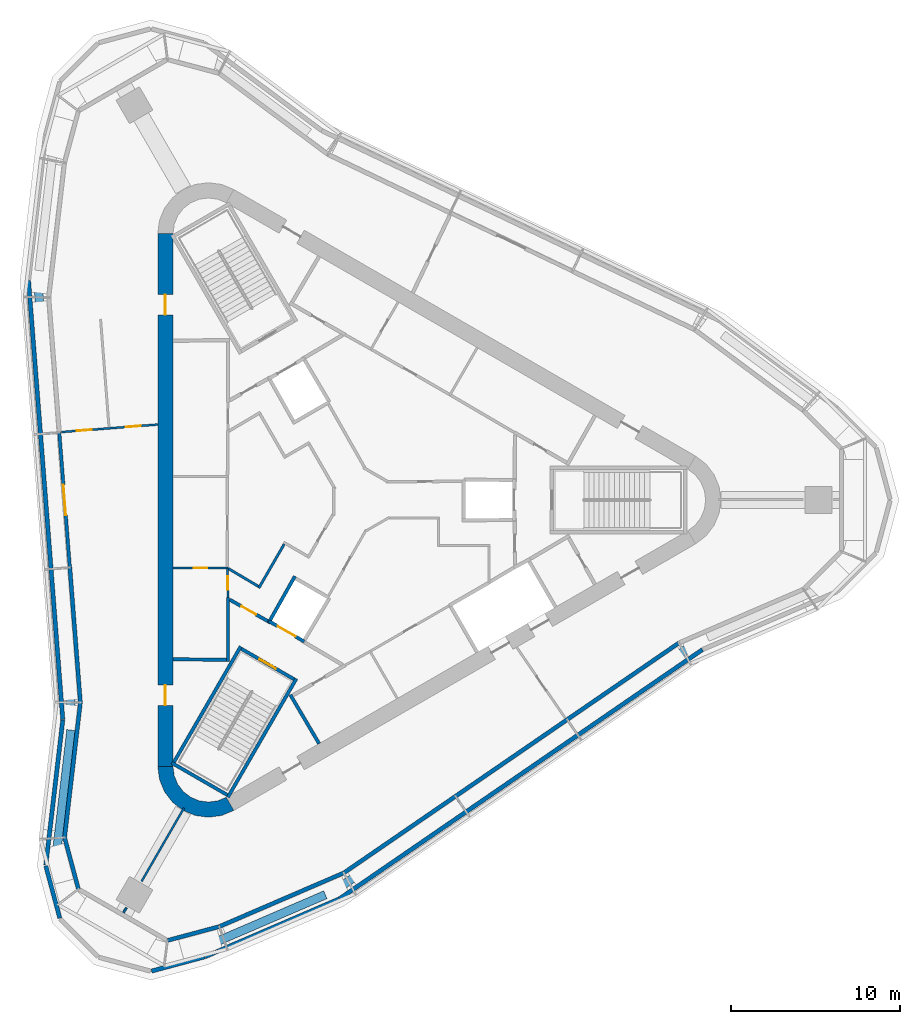
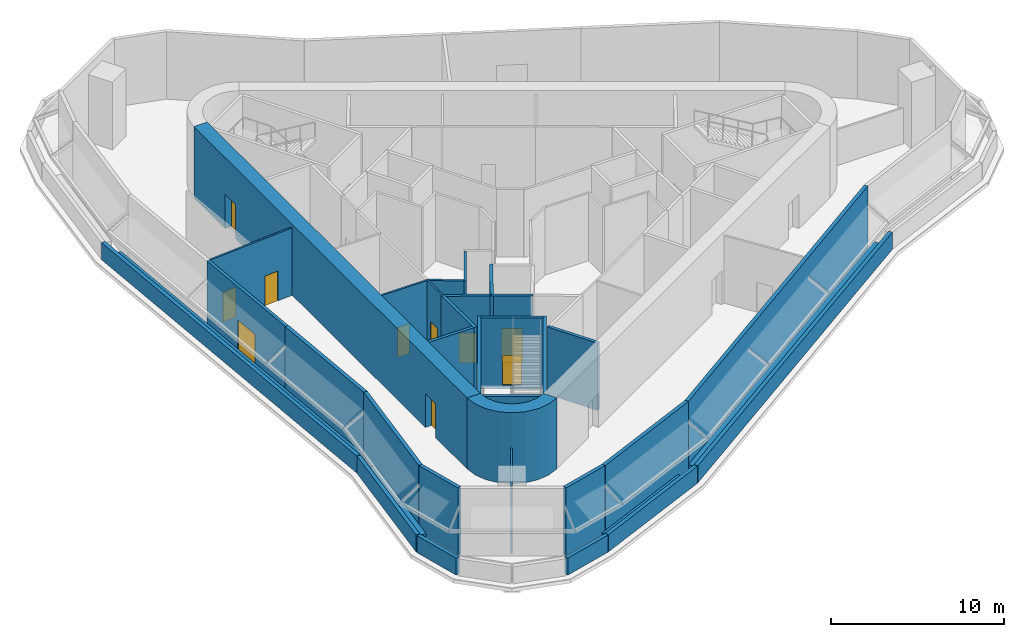
# One storey, part 4 of 8: 36 walls, 10 doors, 10 openings.
"""IFC4 building model written with IfcOpenShell, lengths in metres."""

from ifc_helpers import new_model, si_unit, direction, frame, frame_2d, origin, place, context, subcontext, project, spatial, polyline, rectangle, outline, extrude, material, layer, layer_set, type_object, element, fill, save


model = new_model("IFC4")

# Units and contexts
model_context = context("Model", 3, precision=1e-05, world=origin(), true_north=direction((0.0, 1.0)))
body_context = subcontext(model_context, "Body", "Model", "MODEL_VIEW")
ifc_project = project(units=[si_unit("LENGTHUNIT", "METRE"), si_unit("AREAUNIT", "SQUARE_METRE"), si_unit("VOLUMEUNIT", "CUBIC_METRE"), si_unit("PLANEANGLEUNIT", "RADIAN"), si_unit("MASSUNIT", "GRAM", prefix="KILO")], contexts=[model_context])

# Site, building, storey
site_placement = place(None, origin())
site = spatial("IfcSite", under=ifc_project, at=site_placement, CompositionType="ELEMENT")
building_placement = place(site_placement, origin())
building = spatial("IfcBuilding", under=site, at=building_placement, Name="Tanit Gate Tower", CompositionType="ELEMENT")
storey_placement = place(building_placement, frame((0.0, 0.0, 415.300048828125)))
storey = spatial("IfcBuildingStorey", under=building, at=storey_placement, Name="L94", CompositionType="ELEMENT", Elevation=415.300048828125)

# Wall, openings, doors
ifc_material_1 = material(Name="Concrete C40/50", Category="concrete")
ifc_layer_1 = layer(ifc_material_1, 0.89990234375)
ifc_layer_set_1 = layer_set([ifc_layer_1], Name="CORE WALL 900 C40/50")
wall_type_1 = type_object("IfcWallType", Name="CORE WALL 900 C40/50", PredefinedType="SHEAR", material=ifc_layer_set_1)
wall_1_placement = place(storey_placement, frame((-11.64990234375, 15.76171875, 0.0), z_axis=(0.0, 0.0, 1.0), x_axis=(0.0, -1.0, 0.0)))
wall_1 = element("IfcWall", 1, at=wall_1_placement, inside=storey, type_object=wall_type_1, Name="CORE WALL", PredefinedType="SHEAR", context=body_context, shape_type="SweptSolid", body=[
    extrude(rectangle(XDim=31.5234375, YDim=0.89990234375, at=frame_2d((15.76171875, 0.0))), origin(), (0.0, 0.0, 1.0), 5.0),
])
opening_1_placement = place(wall_1_placement, frame((3.61181640625, 0.0, 0.0)))
opening_1 = element("IfcOpeningElement", 2, at=opening_1_placement, cuts=wall_1, Name="Opening F12-94-FL2", PredefinedType="OPENING", context=body_context, shape_type="SweptSolid", body=[
    extrude(rectangle(XDim=1.199951171875, YDim=2.39990234375, at=frame_2d((0.60009765625, 1.199951171875))), frame((0.0, 0.4599609375, 0.0), z_axis=(0.0, -1.0, 0.0), x_axis=(1.0, 0.0, 0.0)), (0.0, 0.0, 1.0), 0.919921875),
])
opening_2_placement = place(wall_1_placement, frame((26.711669921875, 0.0, 0.0)))
opening_2 = element("IfcOpeningElement", 3, at=opening_2_placement, cuts=wall_1, Name="Opening F12-94-S3", PredefinedType="OPENING", context=body_context, shape_type="SweptSolid", body=[
    extrude(rectangle(XDim=1.199951171875, YDim=2.39990234375, at=frame_2d((0.60009765625, 1.199951171875))), frame((0.0, 0.4599609375, 0.0), z_axis=(0.0, -1.0, 0.0), x_axis=(1.0, 0.0, 0.0)), (0.0, 0.0, 1.0), 0.919921875),
])
ifc_material_2 = material(Name="Fire-rated steel door leaf", Category="steel")
door_type_1 = type_object("IfcDoorType", Name="INT-DOOR-FIRE-LOBBY-1200", OperationType="NOTDEFINED", PredefinedType="USERDEFINED", material=ifc_material_2)
door_1_placement = place(opening_1_placement, origin())
door_1 = element("IfcDoor", 4, at=door_1_placement, inside=storey, type_object=door_type_1, Name="Door F12-94-FL2", ObjectType="FIRE DOOR", OperationType="SINGLE_SWING_RIGHT", OverallHeight=2.39990234375, OverallWidth=1.199951171875, PredefinedType="USERDEFINED", context=body_context, shape_type="SweptSolid", body=[
    extrude(rectangle(XDim=1.199951171875, YDim=2.39990234375, at=frame_2d((0.60009765625, 1.199951171875))), frame((0.0, 0.02490234375, 0.0), z_axis=(0.0, -1.0, 0.0), x_axis=(1.0, 0.0, 0.0)), (0.0, 0.0, 1.0), 0.050048828125),
])
fill(opening_1, door_1)
door_2_placement = place(opening_2_placement, origin())
door_2 = element("IfcDoor", 5, at=door_2_placement, inside=storey, type_object=door_type_1, Name="Door F12-94-S3", ObjectType="FIRE DOOR", OperationType="SINGLE_SWING_LEFT", OverallHeight=2.39990234375, OverallWidth=1.199951171875, PredefinedType="USERDEFINED", context=body_context, shape_type="SweptSolid", body=[
    extrude(rectangle(XDim=1.199951171875, YDim=2.39990234375, at=frame_2d((0.60009765625, 1.199951171875))), frame((0.0, 0.02490234375, 0.0), z_axis=(0.0, -1.0, 0.0), x_axis=(1.0, 0.0, 0.0)), (0.0, 0.0, 1.0), 0.050048828125),
])
fill(opening_2, door_2)

# Wall
wall_2_placement = place(storey_placement, origin())
element("IfcWall", 6, at=wall_2_placement, inside=storey, type_object=wall_type_1, Name="CORE WALL CORNER", PredefinedType="SHEAR", context=body_context, shape_type="SweptSolid", body=[
    extrude(outline(polyline([(-12.10009765625, -15.76171875), (-11.997802734375, -16.5380859375), (-11.697998046875, -17.26171875), (-11.22119140625, -17.883056640625), (-10.60009765625, -18.359619140625), (-9.87646484375, -18.659423828125), (-9.10009765625, -18.76171875), (-8.323486328125, -18.659423828125), (-7.60009765625, -18.359619140625), (-8.050048828125, -17.580322265625), (-8.556396484375, -17.7900390625), (-9.10009765625, -17.86181640625), (-9.6435546875, -17.7900390625), (-10.14990234375, -17.580322265625), (-10.5849609375, -17.24658203125), (-10.918701171875, -16.811767578125), (-11.12841796875, -16.30517578125), (-11.199951171875, -15.76171875), (-12.10009765625, -15.76171875)])), origin(), (0.0, 0.0, 1.0), 5.0),
])

# Wall, opening, door
ifc_material_3 = material(Name="Concrete C30/37 rendered", Category="concrete")
ifc_layer_2 = layer(ifc_material_3, 0.199951171875)
ifc_layer_set_2 = layer_set([ifc_layer_2], Name="Facade wall 200 rendered")
wall_type_2 = type_object("IfcWallType", Name="Facade wall 200 rendered", PredefinedType="SOLIDWALL", material=ifc_layer_set_2)
wall_3_placement = place(storey_placement, frame((-17.924072265625, 3.9775390625, 0.0), z_axis=(0.0, 0.0, 1.0), x_axis=(0.077823555857, -0.996967147981, 0.0)))
wall_3 = element("IfcWall", 7, at=wall_3_placement, inside=storey, type_object=wall_type_2, Name="Facade wall L94 W2.2", PredefinedType="SOLIDWALL", context=body_context, shape_type="SweptSolid", body=[
    extrude(rectangle(XDim=7.98388671875, YDim=0.199951171875, at=frame_2d((3.991943359375, 0.0))), origin(), (0.0, 0.0, 1.0), 4.75),
])
opening_3_placement = place(wall_3_placement, frame((3.091796875, 0.0, 0.0)))
opening_3 = element("IfcOpeningElement", 8, at=opening_3_placement, cuts=wall_3, Name="Opening D2", PredefinedType="OPENING", context=body_context, shape_type="SweptSolid", body=[
    extrude(rectangle(XDim=1.800048828125, YDim=2.39990234375, at=frame_2d((0.89990234375, 1.199951171875))), frame((0.0, 0.10986328125, 0.0), z_axis=(0.0, -1.0, 0.0), x_axis=(1.0, 0.0, 0.0)), (0.0, 0.0, 1.0), 0.219970703125),
])
ifc_material_4 = material(Name="Aluminium bronze anodised and glass", Category="aluminium")
door_type_2 = type_object("IfcDoorType", Name="Terrace door double 1800x2400", OperationType="DOUBLE_DOOR_SINGLE_SWING", PredefinedType="DOOR", material=ifc_material_4)
door_3_placement = place(opening_3_placement, frame((1.800048828125, 0.0, 0.0), z_axis=(0.0, 0.0, 1.0), x_axis=(-1.0, 0.0, 0.0)))
door_3 = element("IfcDoor", 9, at=door_3_placement, inside=storey, type_object=door_type_2, Name="Terrace door", OperationType="SINGLE_SWING_RIGHT", OverallHeight=2.39990234375, OverallWidth=1.800048828125, PredefinedType="DOOR", context=body_context, shape_type="SweptSolid", body=[
    extrude(rectangle(XDim=1.800048828125, YDim=2.39990234375, at=frame_2d((0.89990234375, 1.199951171875))), frame((0.0, 0.02490234375, 0.0), z_axis=(0.0, -1.0, 0.0), x_axis=(1.0, 0.0, 0.0)), (0.0, 0.0, 1.0), 0.050048828125),
])
fill(opening_3, door_3)

# Walls
ifc_material_5 = material(Name="Concrete C30/37 with bronze anodised aluminium cladding", Category="concrete")
ifc_layer_3 = layer(ifc_material_5, 0.239990234375)
ifc_layer_set_3 = layer_set([ifc_layer_3], Name="Facade wall bronze clad 240")
wall_type_3 = type_object("IfcWallType", Name="Facade wall bronze clad 240", PredefinedType="SOLIDWALL", material=ifc_layer_set_3)
wall_4_placement = place(storey_placement, frame((-17.302734375, -3.982177734375, 0.0), z_axis=(0.0, 0.0, 1.0), x_axis=(0.077831907975, -0.996966495977, 0.0)))
element("IfcWall", 10, at=wall_4_placement, inside=storey, type_object=wall_type_3, Name="Bronze-clad facade wall L94 W2b", PredefinedType="SOLIDWALL", context=body_context, shape_type="SweptSolid", body=[
    extrude(rectangle(XDim=8.02392578125, YDim=0.239990234375, at=frame_2d((4.011962890625, 0.0))), origin(), (0.0, 0.0, 1.0), 4.75),
])
wall_5_placement = place(storey_placement, frame((-16.67822265625, -11.981689453125, 0.0), z_axis=(0.0, 0.0, 1.0), x_axis=(-0.116303157412, -0.99321376127, 0.0)))
element("IfcWall", 11, at=wall_5_placement, inside=storey, type_object=wall_type_3, Name="Bronze-clad facade wall L94 W3", PredefinedType="SOLIDWALL", context=body_context, shape_type="SweptSolid", body=[
    extrude(rectangle(XDim=8.029296875, YDim=0.239990234375, at=frame_2d((4.0146484375, 0.0))), origin(), (0.0, 0.0, 1.0), 4.75),
])
wall_6_placement = place(storey_placement, frame((-17.612060546875, -19.95654296875, 0.0), z_axis=(0.0, 0.0, 1.0), x_axis=(0.258764424539, -0.96594046017, 0.0)))
element("IfcWall", 12, at=wall_6_placement, inside=storey, type_object=wall_type_3, Name="Bronze-clad facade wall L94 SW.arc1", PredefinedType="SOLIDWALL", context=body_context, shape_type="SweptSolid", body=[
    extrude(rectangle(XDim=3.157958984375, YDim=0.239990234375, at=frame_2d((1.5791015625, 0.0))), origin(), (0.0, 0.0, 1.0), 4.75),
])
wall_7_placement = place(storey_placement, frame((-11.527099609375, -26.048095703125, 0.0), z_axis=(0.0, 0.0, 1.0), x_axis=(0.965940494045, 0.258764298086, 0.0)))
element("IfcWall", 13, at=wall_7_placement, inside=storey, type_object=wall_type_3, Name="Bronze-clad facade wall L94 SW.arc3", PredefinedType="SOLIDWALL", context=body_context, shape_type="SweptSolid", body=[
    extrude(rectangle(XDim=3.172119140625, YDim=0.239990234375, at=frame_2d((1.5859375, 0.0))), origin(), (0.0, 0.0, 1.0), 4.75),
])
wall_8_placement = place(storey_placement, frame((-8.463134765625, -25.227294921875, 0.0), z_axis=(0.0, 0.0, 1.0), x_axis=(0.918306915917, 0.395869180638, 0.0)))
element("IfcWall", 14, at=wall_8_placement, inside=storey, type_object=wall_type_3, Name="Bronze-clad facade wall L94 SE1", PredefinedType="SOLIDWALL", context=body_context, shape_type="SweptSolid", body=[
    extrude(rectangle(XDim=8.0205078125, YDim=0.239990234375, at=frame_2d((4.01025390625, 0.0))), origin(), (0.0, 0.0, 1.0), 4.75),
])
wall_9_placement = place(storey_placement, frame((-1.097900390625, -22.05224609375, 0.0), z_axis=(0.0, 0.0, 1.0), x_axis=(0.824476827337, 0.565895715821, 0.0)))
element("IfcWall", 15, at=wall_9_placement, inside=storey, type_object=wall_type_3, Name="Bronze-clad facade wall L94 SE2", PredefinedType="SOLIDWALL", context=body_context, shape_type="SweptSolid", body=[
    extrude(rectangle(XDim=24.031494140625, YDim=0.239990234375, at=frame_2d((12.015625, 0.0))), origin(), (0.0, 0.0, 1.0), 4.75),
])
ifc_material_6 = material(Name="Fire-rated gypsum board partition")
ifc_layer_4 = layer(ifc_material_6, 0.199951171875)
ifc_layer_set_4 = layer_set([ifc_layer_4], Name="INT-WALL-COMPARTMENT")
wall_type_4 = type_object("IfcWallType", Name="INT-WALL-COMPARTMENT", PredefinedType="PARTITIONING", material=ifc_layer_set_4)
wall_10_placement = place(storey_placement, frame((-7.949951171875, -9.550048828125, 0.0), z_axis=(0.0, 0.0, 1.0), x_axis=(0.0, 1.0, 0.0)))
element("IfcWall", 16, at=wall_10_placement, inside=storey, type_object=wall_type_4, Name="Wall Compartment W037", PredefinedType="PARTITIONING", context=body_context, shape_type="SweptSolid", body=[
    extrude(rectangle(XDim=3.777587890625, YDim=0.199951171875, at=frame_2d((1.888671875, 0.0))), origin(), (0.0, 0.0, 1.0), 4.75),
])
wall_11_placement = place(storey_placement, frame((-11.199951171875, -9.419921875, 0.0), z_axis=(0.0, 0.0, 1.0), x_axis=(0.999957467379, -0.009222983926, 0.0)))
element("IfcWall", 17, at=wall_11_placement, inside=storey, type_object=wall_type_4, Name="Wall Compartment W038", PredefinedType="PARTITIONING", context=body_context, shape_type="SweptSolid", body=[
    extrude(rectangle(XDim=3.150146484375, YDim=0.199951171875, at=frame_2d((1.5751953125, 0.0))), origin(), (0.0, 0.0, 1.0), 4.75),
])
wall_12_placement = place(storey_placement, frame((-4.259765625, -11.523681640625, 0.0), z_axis=(0.0, 0.0, 1.0), x_axis=(0.507997497166, -0.861358544901, 0.0)))
element("IfcWall", 18, at=wall_12_placement, inside=storey, type_object=wall_type_4, Name="Wall Compartment W050", PredefinedType="PARTITIONING", context=body_context, shape_type="SweptSolid", body=[
    extrude(rectangle(XDim=3.350341796875, YDim=0.199951171875, at=frame_2d((1.67529296875, 0.0))), origin(), (0.0, 0.0, 1.0), 4.75),
])

# Wall, opening, door
wall_13_placement = place(storey_placement, frame((-7.85009765625, -5.893310546875, 0.0), z_axis=(0.0, 0.0, 1.0), x_axis=(0.871350695252, -0.490660744185, 0.0)))
wall_13 = element("IfcWall", 19, at=wall_13_placement, inside=storey, type_object=wall_type_4, Name="Wall Compartment W061", PredefinedType="PARTITIONING", context=body_context, shape_type="SweptSolid", body=[
    extrude(rectangle(XDim=2.58203125, YDim=0.199951171875, at=frame_2d((1.291015625, 0.0))), origin(), (0.0, 0.0, 1.0), 4.75),
])
opening_4_placement = place(wall_13_placement, frame((0.791015625, 0.0, 0.0)))
opening_4 = element("IfcOpeningElement", 20, at=opening_4_placement, cuts=wall_13, Name="Opening F10-94-08", PredefinedType="OPENING", context=body_context, shape_type="SweptSolid", body=[
    extrude(rectangle(XDim=1.0, YDim=2.10009765625, at=frame_2d((0.5, 1.050048828125))), frame((0.0, 0.10986328125, 0.0), z_axis=(0.0, -1.0, 0.0), x_axis=(1.0, 0.0, 0.0)), (0.0, 0.0, 1.0), 0.219970703125),
])
ifc_material_7 = material(Name="Fire-rated steel door leaf", Category="steel")
door_type_3 = type_object("IfcDoorType", Name="INT-DOOR-FIRE-1000", OperationType="NOTDEFINED", PredefinedType="USERDEFINED", material=ifc_material_7)
door_4_placement = place(opening_4_placement, origin())
door_4 = element("IfcDoor", 21, at=door_4_placement, inside=storey, type_object=door_type_3, Name="Door F10-94-08", ObjectType="FIRE DOOR", OperationType="SINGLE_SWING_LEFT", OverallHeight=2.10009765625, OverallWidth=1.0, PredefinedType="USERDEFINED", context=body_context, shape_type="SweptSolid", body=[
    extrude(rectangle(XDim=1.0, YDim=2.10009765625, at=frame_2d((0.5, 1.050048828125))), frame((0.0, 0.02490234375, 0.0), z_axis=(0.0, -1.0, 0.0), x_axis=(1.0, 0.0, 0.0)), (0.0, 0.0, 1.0), 0.050048828125),
])
fill(opening_4, door_4)

ifc_material_8 = material(Name="Gypsum board partition")
ifc_layer_5 = layer(ifc_material_8, 0.1201171875)
ifc_layer_set_5 = layer_set([ifc_layer_5], Name="INT-WALL-PARTITION")
wall_type_5 = type_object("IfcWallType", Name="INT-WALL-PARTITION", PredefinedType="PARTITIONING", material=ifc_layer_set_5)
wall_14_placement = place(storey_placement, frame((-11.199951171875, -4.02001953125, 0.0), z_axis=(0.0, 0.0, 1.0), x_axis=(1.0, 0.0, 0.0)))
wall_14 = element("IfcWall", 22, at=wall_14_placement, inside=storey, type_object=wall_type_5, Name="Wall Partition W035", PredefinedType="PARTITIONING", context=body_context, shape_type="SweptSolid", body=[
    extrude(rectangle(XDim=3.25, YDim=0.1201171875, at=frame_2d((1.625, 0.0))), origin(), (0.0, 0.0, 1.0), 4.75),
])
opening_5_placement = place(wall_14_placement, frame((1.22509765625, 0.0, 0.0)))
opening_5 = element("IfcOpeningElement", 23, at=opening_5_placement, cuts=wall_14, Name="Opening R08-94-14", PredefinedType="OPENING", context=body_context, shape_type="SweptSolid", body=[
    extrude(rectangle(XDim=0.800048828125, YDim=2.10009765625, at=frame_2d((0.39990234375, 1.050048828125))), frame((0.0, 0.070068359375, 0.0), z_axis=(0.0, -1.0, 0.0), x_axis=(1.0, 0.0, 0.0)), (0.0, 0.0, 1.0), 0.14013671875),
])
ifc_material_9 = material(Name="Timber door leaf", Category="wood")
door_type_4 = type_object("IfcDoorType", Name="INT-DOOR-RISER-800", OperationType="NOTDEFINED", PredefinedType="USERDEFINED", material=ifc_material_9)
door_5_placement = place(opening_5_placement, origin())
door_5 = element("IfcDoor", 24, at=door_5_placement, inside=storey, type_object=door_type_4, Name="Door R08-94-14", ObjectType="FIRE DOOR", OperationType="SINGLE_SWING_LEFT", OverallHeight=2.10009765625, OverallWidth=0.800048828125, PredefinedType="USERDEFINED", context=body_context, shape_type="SweptSolid", body=[
    extrude(rectangle(XDim=0.800048828125, YDim=2.10009765625, at=frame_2d((0.39990234375, 1.050048828125))), frame((0.0, 0.02490234375, 0.0), z_axis=(0.0, -1.0, 0.0), x_axis=(1.0, 0.0, 0.0)), (0.0, 0.0, 1.0), 0.050048828125),
])
fill(opening_5, door_5)

wall_15_placement = place(storey_placement, frame((-7.95068359375, -5.7724609375, 0.0), z_axis=(0.0, 0.0, 1.0), x_axis=(-0.012047318415, 0.999927428426, 0.0)))
wall_15 = element("IfcWall", 25, at=wall_15_placement, inside=storey, type_object=wall_type_5, Name="Wall Partition W039", PredefinedType="PARTITIONING", context=body_context, shape_type="SweptSolid", body=[
    extrude(rectangle(XDim=1.72265625, YDim=0.1201171875, at=frame_2d((0.861328125, 0.0))), origin(), (0.0, 0.0, 1.0), 4.75),
])
opening_6_placement = place(wall_15_placement, frame((0.461181640625, 0.0, 0.0)))
opening_6 = element("IfcOpeningElement", 26, at=opening_6_placement, cuts=wall_15, Name="Opening R08-94-15", PredefinedType="OPENING", context=body_context, shape_type="SweptSolid", body=[
    extrude(rectangle(XDim=0.800048828125, YDim=2.10009765625, at=frame_2d((0.39990234375, 1.050048828125))), frame((0.0, 0.070068359375, 0.0), z_axis=(0.0, -1.0, 0.0), x_axis=(1.0, 0.0, 0.0)), (0.0, 0.0, 1.0), 0.14013671875),
])
door_6_placement = place(opening_6_placement, origin())
door_6 = element("IfcDoor", 27, at=door_6_placement, inside=storey, type_object=door_type_4, Name="Door R08-94-15", ObjectType="FIRE DOOR", OperationType="SINGLE_SWING_RIGHT", OverallHeight=2.10009765625, OverallWidth=0.800048828125, PredefinedType="USERDEFINED", context=body_context, shape_type="SweptSolid", body=[
    extrude(rectangle(XDim=0.800048828125, YDim=2.10009765625, at=frame_2d((0.39990234375, 1.050048828125))), frame((0.0, 0.02490234375, 0.0), z_axis=(0.0, -1.0, 0.0), x_axis=(1.0, 0.0, 0.0)), (0.0, 0.0, 1.0), 0.050048828125),
])
fill(opening_6, door_6)

# Wall, openings, doors
wall_16_placement = place(storey_placement, frame((-12.10009765625, 4.462158203125, 0.0), z_axis=(0.0, 0.0, 1.0), x_axis=(-0.996967215132, -0.077822695606, 0.0)))
wall_16 = element("IfcWall", 28, at=wall_16_placement, inside=storey, type_object=wall_type_5, Name="Wall Partition W081", PredefinedType="PARTITIONING", context=body_context, shape_type="SweptSolid", body=[
    extrude(rectangle(XDim=5.718994140625, YDim=0.1201171875, at=frame_2d((2.859375, 0.0))), origin(), (0.0, 0.0, 1.0), 4.75),
])
opening_7_placement = place(wall_16_placement, frame((1.0, 0.0, 0.0)))
opening_7 = element("IfcOpeningElement", 29, at=opening_7_placement, cuts=wall_16, Name="Opening D09-94-26", PredefinedType="OPENING", context=body_context, shape_type="SweptSolid", body=[
    extrude(rectangle(XDim=0.89990234375, YDim=2.10009765625, at=frame_2d((0.449951171875, 1.050048828125))), frame((0.0, 0.070068359375, 0.0), z_axis=(0.0, -1.0, 0.0), x_axis=(1.0, 0.0, 0.0)), (0.0, 0.0, 1.0), 0.14013671875),
])
opening_8_placement = place(wall_16_placement, frame((3.918212890625, 0.0, 0.0)))
opening_8 = element("IfcOpeningElement", 30, at=opening_8_placement, cuts=wall_16, Name="Opening D09-94-27", PredefinedType="OPENING", context=body_context, shape_type="SweptSolid", body=[
    extrude(rectangle(XDim=0.89990234375, YDim=2.10009765625, at=frame_2d((0.449951171875, 1.050048828125))), frame((0.0, 0.070068359375, 0.0), z_axis=(0.0, -1.0, 0.0), x_axis=(1.0, 0.0, 0.0)), (0.0, 0.0, 1.0), 0.14013671875),
])
ifc_material_10 = material(Name="Timber door leaf", Category="wood")
door_type_5 = type_object("IfcDoorType", Name="INT-DOOR-SINGLE-900", OperationType="NOTDEFINED", PredefinedType="NOTDEFINED", material=ifc_material_10)
door_7_placement = place(opening_7_placement, origin())
door_7 = element("IfcDoor", 31, at=door_7_placement, inside=storey, type_object=door_type_5, Name="Door D09-94-26", OperationType="SINGLE_SWING_LEFT", OverallHeight=2.10009765625, OverallWidth=0.89990234375, PredefinedType="NOTDEFINED", context=body_context, shape_type="SweptSolid", body=[
    extrude(rectangle(XDim=0.89990234375, YDim=2.10009765625, at=frame_2d((0.449951171875, 1.050048828125))), frame((0.0, 0.02490234375, 0.0), z_axis=(0.0, -1.0, 0.0), x_axis=(1.0, 0.0, 0.0)), (0.0, 0.0, 1.0), 0.050048828125),
])
fill(opening_7, door_7)
door_8_placement = place(opening_8_placement, origin())
door_8 = element("IfcDoor", 32, at=door_8_placement, inside=storey, type_object=door_type_5, Name="Door D09-94-27", OperationType="SINGLE_SWING_RIGHT", OverallHeight=2.10009765625, OverallWidth=0.89990234375, PredefinedType="NOTDEFINED", context=body_context, shape_type="SweptSolid", body=[
    extrude(rectangle(XDim=0.89990234375, YDim=2.10009765625, at=frame_2d((0.449951171875, 1.050048828125))), frame((0.0, 0.02490234375, 0.0), z_axis=(0.0, -1.0, 0.0), x_axis=(1.0, 0.0, 0.0)), (0.0, 0.0, 1.0), 0.050048828125),
])
fill(opening_8, door_8)

# Walls
wall_17_placement = place(storey_placement, frame((-10.549072265625, -18.211669921875, 0.0), z_axis=(0.0, 0.0, 1.0), x_axis=(-0.500039923732, -0.86600235258, 0.0)))
element("IfcWall", 33, at=wall_17_placement, inside=storey, type_object=wall_type_5, Name="Wall Partition W084", PredefinedType="PARTITIONING", context=body_context, shape_type="SweptSolid", body=[
    extrude(rectangle(XDim=5.0146484375, YDim=0.1201171875, at=frame_2d((2.50732421875, 0.0))), origin(), (0.0, 0.0, 1.0), 2.52001953125),
])
wall_18_placement = place(storey_placement, frame((-13.95654296875, -24.11328125, 0.0), z_axis=(0.0, 0.0, 1.0), x_axis=(-0.499681137129, -0.866209421097, 0.0)))
element("IfcWall", 34, at=wall_18_placement, inside=storey, type_object=wall_type_5, Name="Wall Partition W083", PredefinedType="PARTITIONING", context=body_context, shape_type="SweptSolid", body=[
    extrude(rectangle(XDim=0.341064453125, YDim=0.1201171875, at=frame_2d((0.17041015625, 0.0))), origin(), (0.0, 0.0, 1.0), 4.75),
])
ifc_material_11 = material(Name="Fire-rated gypsum board partition")
ifc_layer_6 = layer(ifc_material_11, 0.14990234375)
ifc_layer_set_6 = layer_set([ifc_layer_6], Name="INT-WALL-RISER")
wall_type_6 = type_object("IfcWallType", Name="INT-WALL-RISER", PredefinedType="PLUMBINGWALL", material=ifc_layer_set_6)
wall_19_placement = place(storey_placement, frame((-6.125732421875, -5.210205078125, 0.0), z_axis=(0.0, 0.0, 1.0), x_axis=(0.499990139034, 0.866031096941, 0.0)))
element("IfcWall", 35, at=wall_19_placement, inside=storey, type_object=wall_type_6, Name="Wall Riser W078", PredefinedType="PLUMBINGWALL", context=body_context, shape_type="SweptSolid", body=[
    extrude(rectangle(XDim=3.0, YDim=0.14990234375, at=frame_2d((1.5, 0.0))), origin(), (0.0, 0.0, 1.0), 4.75),
])
wall_20_placement = place(storey_placement, frame((-7.949951171875, -4.041015625, 0.0), z_axis=(0.0, 0.0, 1.0), x_axis=(0.860090281069, -0.510141851263, 0.0)))
element("IfcWall", 36, at=wall_20_placement, inside=storey, type_object=wall_type_6, Name="Wall Riser W079", PredefinedType="PLUMBINGWALL", context=body_context, shape_type="SweptSolid", body=[
    extrude(rectangle(XDim=2.08935546875, YDim=0.14990234375, at=frame_2d((1.044677734375, 0.0))), origin(), (0.0, 0.0, 1.0), 4.75),
])

# Wall, opening, door
ifc_material_12 = material(Name="Gypsum shaft wall system")
ifc_layer_7 = layer(ifc_material_12, 0.199951171875)
ifc_layer_set_7 = layer_set([ifc_layer_7], Name="INT-WALL-SHAFT")
wall_type_7 = type_object("IfcWallType", Name="INT-WALL-SHAFT", PredefinedType="PLUMBINGWALL", material=ifc_layer_set_7)
wall_21_placement = place(storey_placement, frame((-3.44580078125, -8.3681640625, 0.0), z_axis=(0.0, 0.0, 1.0), x_axis=(-0.866024647952, 0.500001309137, 0.0)))
wall_21 = element("IfcWall", 37, at=wall_21_placement, inside=storey, type_object=wall_type_7, Name="Wall Shaft W026", PredefinedType="PLUMBINGWALL", context=body_context, shape_type="SweptSolid", body=[
    extrude(rectangle(XDim=2.39990234375, YDim=0.199951171875, at=frame_2d((1.199951171875, 0.0))), origin(), (0.0, 0.0, 1.0), 4.75),
])
opening_9_placement = place(wall_21_placement, frame((0.60009765625, 0.0, 0.0)))
opening_9 = element("IfcOpeningElement", 38, at=opening_9_placement, cuts=wall_21, Name="Opening LDFL3-L94", PredefinedType="OPENING", context=body_context, shape_type="SweptSolid", body=[
    extrude(rectangle(XDim=1.199951171875, YDim=2.39990234375, at=frame_2d((0.60009765625, 1.199951171875))), frame((0.0, 0.10986328125, 0.0), z_axis=(0.0, -1.0, 0.0), x_axis=(1.0, 0.0, 0.0)), (0.0, 0.0, 1.0), 0.219970703125),
])
ifc_material_13 = material(Name="Stainless steel sliding door leaf", Category="steel")
door_type_6 = type_object("IfcDoorType", Name="INT-DOOR-LANDING-1200", OperationType="NOTDEFINED", PredefinedType="USERDEFINED", material=ifc_material_13)
door_9_placement = place(opening_9_placement, origin())
door_9 = element("IfcDoor", 39, at=door_9_placement, inside=storey, type_object=door_type_6, Name="Door LDFL3-L94", ObjectType="LANDING DOOR", OperationType="SLIDING_TO_LEFT", OverallHeight=2.39990234375, OverallWidth=1.199951171875, PredefinedType="USERDEFINED", context=body_context, shape_type="SweptSolid", body=[
    extrude(rectangle(XDim=1.199951171875, YDim=2.39990234375, at=frame_2d((0.60009765625, 1.199951171875))), frame((0.0, 0.02490234375, 0.0), z_axis=(0.0, -1.0, 0.0), x_axis=(1.0, 0.0, 0.0)), (0.0, 0.0, 1.0), 0.050048828125),
])
fill(opening_9, door_9)

# Walls
wall_22_placement = place(storey_placement, frame((-3.989990234375, -4.509033203125, 0.0), z_axis=(0.0, 0.0, 1.0), x_axis=(-0.491358283181, -0.870957540612, 0.0)))
element("IfcWall", 40, at=wall_22_placement, inside=storey, type_object=wall_type_7, Name="Wall Shaft W028", PredefinedType="PLUMBINGWALL", context=body_context, shape_type="SweptSolid", body=[
    extrude(rectangle(XDim=3.200439453125, YDim=0.199951171875, at=frame_2d((1.60009765625, 0.0))), origin(), (0.0, 0.0, 1.0), 4.75),
])
ifc_material_14 = material(Name="Concrete C40/50", Category="concrete")
ifc_layer_8 = layer(ifc_material_14, 0.199951171875)
ifc_layer_set_8 = layer_set([ifc_layer_8], Name="INT-WALL-STAIR")
wall_type_8 = type_object("IfcWallType", Name="INT-WALL-STAIR", PredefinedType="SHEAR", material=ifc_layer_set_8)
wall_23_placement = place(storey_placement, frame((-3.904541015625, -10.56298828125, -0.25), z_axis=(0.0, 0.0, 1.0), x_axis=(-0.500012932018, -0.866017937352, 0.0)))
element("IfcWall", 41, at=wall_23_placement, inside=storey, type_object=wall_type_8, Name="Wall Stair W022", PredefinedType="SHEAR", context=body_context, shape_type="SweptSolid", body=[
    extrude(rectangle(XDim=8.099853515625, YDim=0.199951171875, at=frame_2d((4.0498046875, 0.0))), origin(), (0.0, 0.0, 1.0), 5.0),
])
wall_24_placement = place(storey_placement, frame((-11.281982421875, -15.541015625, -0.25), z_axis=(0.0, 0.0, 1.0), x_axis=(0.866000483506, -0.500043160704, 0.0)))
element("IfcWall", 42, at=wall_24_placement, inside=storey, type_object=wall_type_8, Name="Wall Stair W023", PredefinedType="SHEAR", context=body_context, shape_type="SweptSolid", body=[
    extrude(rectangle(XDim=3.800048828125, YDim=0.199951171875, at=frame_2d((1.89990234375, 0.0))), origin(), (0.0, 0.0, 1.0), 5.0),
])
wall_25_placement = place(storey_placement, frame((-7.195556640625, -8.662841796875, -0.25), z_axis=(0.0, 0.0, 1.0), x_axis=(-0.499997992926, -0.866026562566, 0.0)))
element("IfcWall", 43, at=wall_25_placement, inside=storey, type_object=wall_type_8, Name="Wall Stair W024", PredefinedType="SHEAR", context=body_context, shape_type="SweptSolid", body=[
    extrude(rectangle(XDim=7.89990234375, YDim=0.199951171875, at=frame_2d((3.949951171875, 0.0))), origin(), (0.0, 0.0, 1.0), 5.0),
])

# Wall, opening, door
wall_26_placement = place(storey_placement, frame((-4.041259765625, -10.599365234375, -0.25), z_axis=(0.0, 0.0, 1.0), x_axis=(-0.866047807691, 0.499961193289, 0.0)))
wall_26 = element("IfcWall", 44, at=wall_26_placement, inside=storey, type_object=wall_type_8, Name="Wall Stair W025", PredefinedType="SHEAR", context=body_context, shape_type="SweptSolid", body=[
    extrude(rectangle(XDim=3.599853515625, YDim=0.199951171875, at=frame_2d((1.7998046875, 0.0))), origin(), (0.0, 0.0, 1.0), 5.0),
])
opening_10_placement = place(wall_26_placement, frame((1.25, 0.0, 0.25)))
opening_10 = element("IfcOpeningElement", 45, at=opening_10_placement, cuts=wall_26, Name="Opening S11-94-07", PredefinedType="OPENING", context=body_context, shape_type="SweptSolid", body=[
    extrude(rectangle(XDim=1.10009765625, YDim=2.10009765625, at=frame_2d((0.550048828125, 1.050048828125))), frame((0.0, 0.10986328125, 0.0), z_axis=(0.0, -1.0, 0.0), x_axis=(1.0, 0.0, 0.0)), (0.0, 0.0, 1.0), 0.219970703125),
])
ifc_material_15 = material(Name="Timber door leaf", Category="wood")
door_type_7 = type_object("IfcDoorType", Name="INT-DOOR-STAIR-1100", OperationType="NOTDEFINED", PredefinedType="USERDEFINED", material=ifc_material_15)
door_10_placement = place(opening_10_placement, origin())
door_10 = element("IfcDoor", 46, at=door_10_placement, inside=storey, type_object=door_type_7, Name="Door S11-94-07", ObjectType="FIRE DOOR", OperationType="SINGLE_SWING_RIGHT", OverallHeight=2.10009765625, OverallWidth=1.10009765625, PredefinedType="USERDEFINED", context=body_context, shape_type="SweptSolid", body=[
    extrude(rectangle(XDim=1.10009765625, YDim=2.10009765625, at=frame_2d((0.550048828125, 1.050048828125))), frame((0.0, 0.02490234375, 0.0), z_axis=(0.0, -1.0, 0.0), x_axis=(1.0, 0.0, 0.0)), (0.0, 0.0, 1.0), 0.050048828125),
])
fill(opening_10, door_10)

# Walls
ifc_material_16 = material(Name="Concrete C30/37", Category="concrete")
ifc_layer_9 = layer(ifc_material_16, 0.25)
ifc_layer_set_9 = layer_set([ifc_layer_9], Name="Parapet wall 250")
wall_type_9 = type_object("IfcWallType", Name="Parapet wall 250", PredefinedType="PARAPET", material=ifc_layer_set_9)
wall_27_placement = place(storey_placement, frame((20.10888671875, -8.849365234375, 0.0400390625), z_axis=(0.0, 0.0, 1.0), x_axis=(-0.824476642241, -0.565895985494, 0.0)))
element("IfcWall", 47, at=wall_27_placement, inside=storey, type_object=wall_type_9, Name="Terrace parapet L94 6", PredefinedType="PARAPET", context=body_context, shape_type="SweptSolid", body=[
    extrude(rectangle(XDim=26.039794921875, YDim=0.25, at=frame_2d((13.02001953125, 0.0))), origin(), (0.0, 0.0, 1.0), 1.199951171875),
])
wall_28_placement = place(storey_placement, frame((-1.381591796875, -23.596923828125, 0.0400390625), z_axis=(0.0, 0.0, 1.0), x_axis=(-0.918307389255, -0.395868082622, 0.0)))
element("IfcWall", 48, at=wall_28_placement, inside=storey, type_object=wall_type_9, Name="Terrace parapet L94 7", PredefinedType="PARAPET", context=body_context, shape_type="SweptSolid", body=[
    extrude(rectangle(XDim=8.6142578125, YDim=0.25, at=frame_2d((4.30712890625, 0.0))), origin(), (0.0, 0.0, 1.0), 1.199951171875),
])
wall_29_placement = place(storey_placement, frame((-9.3095703125, -27.012939453125, 0.0400390625), z_axis=(0.0, 0.0, 1.0), x_axis=(-0.965913407004, -0.258865390057, 0.0)))
element("IfcWall", 49, at=wall_29_placement, inside=storey, type_object=wall_type_9, Name="Terrace parapet L94 8", PredefinedType="PARAPET", context=body_context, shape_type="SweptSolid", body=[
    extrude(rectangle(XDim=3.271728515625, YDim=0.25, at=frame_2d((1.6357421875, 0.0))), origin(), (0.0, 0.0, 1.0), 1.199951171875),
])
wall_30_placement = place(storey_placement, frame((-17.892578125, -24.72900390625, 0.0400390625), z_axis=(0.0, 0.0, 1.0), x_axis=(-0.258760256394, 0.965941576759, 0.0)))
element("IfcWall", 50, at=wall_30_placement, inside=storey, type_object=wall_type_9, Name="Terrace parapet L94 11", PredefinedType="PARAPET", context=body_context, shape_type="SweptSolid", body=[
    extrude(rectangle(XDim=3.197509765625, YDim=0.25, at=frame_2d((1.5986328125, 0.0))), origin(), (0.0, 0.0, 1.0), 1.199951171875),
])
wall_31_placement = place(storey_placement, frame((-18.723388671875, -21.593505859375, 0.0400390625), z_axis=(0.0, 0.0, 1.0), x_axis=(0.116308257542, 0.993213164043, 0.0)))
element("IfcWall", 51, at=wall_31_placement, inside=storey, type_object=wall_type_9, Name="Terrace parapet L94 12", PredefinedType="PARAPET", context=body_context, shape_type="SweptSolid", body=[
    extrude(rectangle(XDim=8.6376953125, YDim=0.25, at=frame_2d((4.31884765625, 0.0))), origin(), (0.0, 0.0, 1.0), 1.199951171875),
])
wall_32_placement = place(storey_placement, frame((-17.71826171875, -12.989990234375, 0.0400390625), z_axis=(0.0, 0.0, 1.0), x_axis=(-0.07783714165, 0.996966087377, 0.0)))
element("IfcWall", 52, at=wall_32_placement, inside=storey, type_object=wall_type_9, Name="Terrace parapet L94 13", PredefinedType="PARAPET", context=body_context, shape_type="SweptSolid", body=[
    extrude(rectangle(XDim=26.039794921875, YDim=0.25, at=frame_2d((13.02001953125, 0.0))), origin(), (0.0, 0.0, 1.0), 1.199951171875),
])
ifc_material_17 = material(Name="Concrete C30/37", Category="concrete")
ifc_layer_10 = layer(ifc_material_17, 0.5)
ifc_layer_set_10 = layer_set([ifc_layer_10], Name="Planter box 600")
wall_type_10 = type_object("IfcWallType", Name="Planter box 600", PredefinedType="PARAPET", material=ifc_layer_set_10)
wall_33_placement = place(storey_placement, frame((19.357177734375, -8.6982421875, 0.0400390625), z_axis=(0.0, 0.0, 1.0), x_axis=(-0.824477152259, -0.565895242428, 0.0)))
element("IfcWall", 53, at=wall_33_placement, inside=storey, type_object=wall_type_10, Name="PLANTER", PredefinedType="PARAPET", context=body_context, shape_type="SweptSolid", body=[
    extrude(rectangle(XDim=24.8642578125, YDim=0.5, at=frame_2d((12.43212890625, 0.0))), origin(), (0.0, 0.0, 1.0), 0.599853515625),
])
wall_34_placement = place(storey_placement, frame((-2.1884765625, -23.345703125, 0.0400390625), z_axis=(0.0, 0.0, 1.0), x_axis=(-0.918305329137, -0.395872861507, 0.0)))
element("IfcWall", 54, at=wall_34_placement, inside=storey, type_object=wall_type_10, Name="PLANTER", PredefinedType="PARAPET", context=body_context, shape_type="SweptSolid", body=[
    extrude(rectangle(XDim=7.342041015625, YDim=0.5, at=frame_2d((3.6708984375, 0.0))), origin(), (0.0, 0.0, 1.0), 0.599853515625),
])
wall_35_placement = place(storey_placement, frame((-18.097900390625, -20.980712890625, 0.0400390625), z_axis=(0.0, 0.0, 1.0), x_axis=(0.116310672236, 0.993212881272, 0.0)))
element("IfcWall", 55, at=wall_35_placement, inside=storey, type_object=wall_type_10, Name="PLANTER", PredefinedType="PARAPET", context=body_context, shape_type="SweptSolid", body=[
    extrude(rectangle(XDim=7.422119140625, YDim=0.5, at=frame_2d((3.7109375, 0.0))), origin(), (0.0, 0.0, 1.0), 0.599853515625),
])
wall_36_placement = place(storey_placement, frame((-17.21142578125, -12.414794921875, 0.0400390625), z_axis=(0.0, 0.0, 1.0), x_axis=(-0.077844512514, 0.996965511877, 0.0)))
element("IfcWall", 56, at=wall_36_placement, inside=storey, type_object=wall_type_10, Name="PLANTER", PredefinedType="PARAPET", context=body_context, shape_type="SweptSolid", body=[
    extrude(rectangle(XDim=24.8642578125, YDim=0.5, at=frame_2d((12.43212890625, 0.0))), origin(), (0.0, 0.0, 1.0), 0.599853515625),
])

save(model, "model.ifc")
